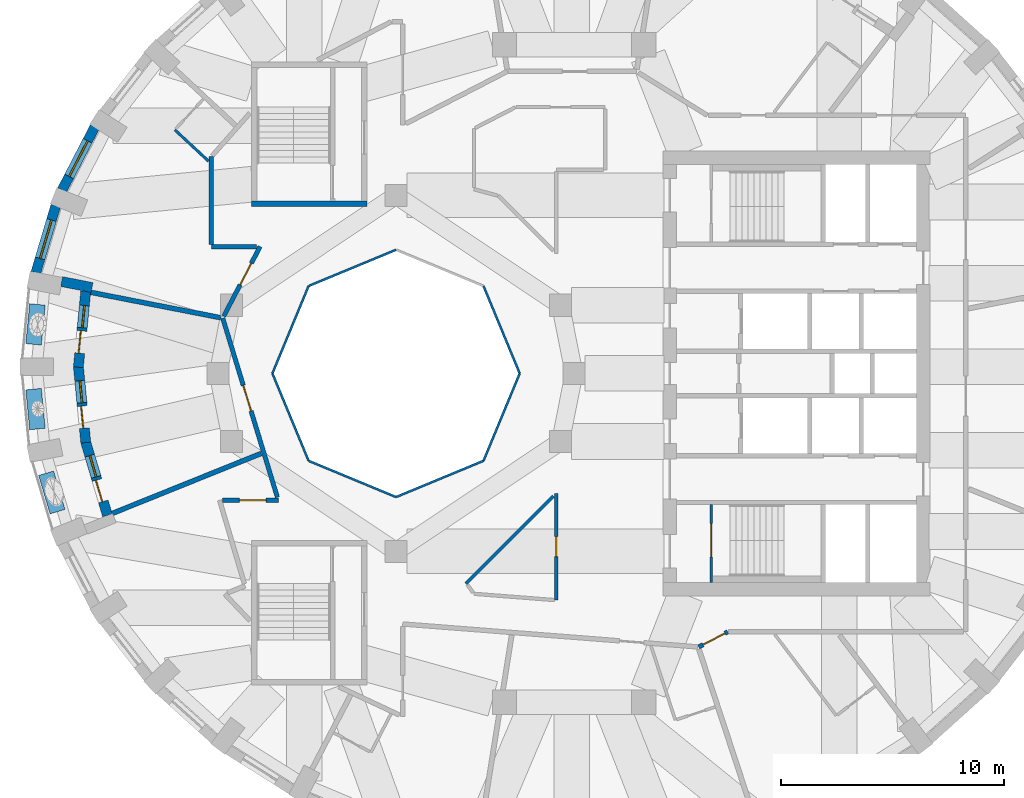
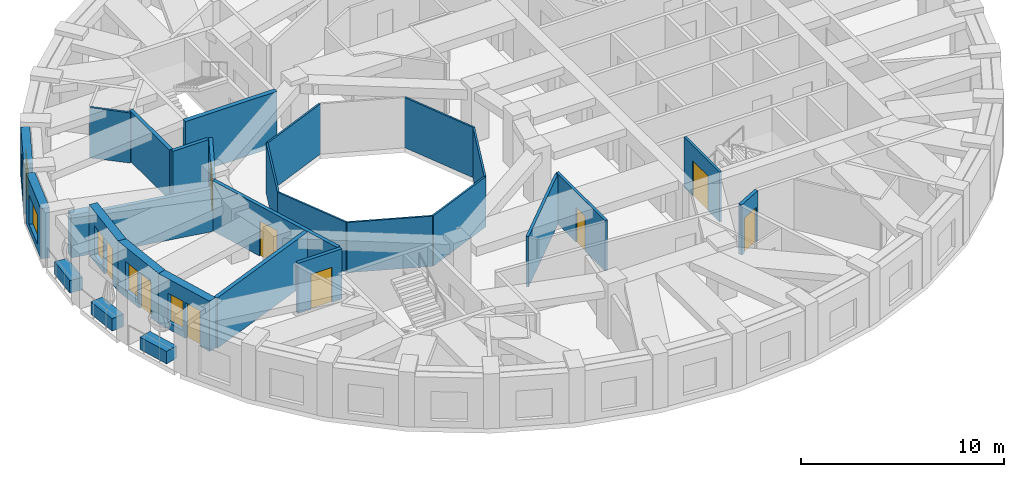
# One storey, part 4 of 12: 29 walls, 9 doors, 5 windows, 14 openings.
"""IFC4 building model written with IfcOpenShell, lengths in metres."""

from ifc_helpers import new_model, si_unit, direction, frame, frame_2d, origin, place, context, subcontext, project, spatial, rectangle, extrude, material, layer, layer_set, constituent, constituent_set, type_object, element, fill, save


model = new_model("IFC4")

# Units and contexts
model_context = context("Model", 3, precision=1e-05, world=origin(), true_north=direction((0.0, 1.0)))
body_context = subcontext(model_context, "Body", "Model", "MODEL_VIEW")
ifc_project = project(units=[si_unit("LENGTHUNIT", "METRE"), si_unit("AREAUNIT", "SQUARE_METRE"), si_unit("VOLUMEUNIT", "CUBIC_METRE"), si_unit("PLANEANGLEUNIT", "RADIAN"), si_unit("MASSUNIT", "GRAM", prefix="KILO")], contexts=[model_context])

# Site, building, storey
site_placement = place(None, origin())
site = spatial("IfcSite", under=ifc_project, at=site_placement, CompositionType="ELEMENT")
building_placement = place(site_placement, origin())
building = spatial("IfcBuilding", under=site, at=building_placement, Name="Taillehof Tower", CompositionType="ELEMENT")
storey_placement = place(building_placement, frame((0.0, 0.0, 236.60009765625)))
storey = spatial("IfcBuildingStorey", under=building, at=storey_placement, Name="L67", CompositionType="ELEMENT", Elevation=236.60009765625)

# Walls
ifc_material_1 = material(Name="Fire-resisting glass in steel frame", Category="steel")
ifc_layer_1 = layer(ifc_material_1, 0.10009765625)
ifc_layer_set_1 = layer_set([ifc_layer_1], Name="Atrium fire-resisting screen EI 60 100")
wall_type_1 = type_object("IfcWallType", Name="Atrium fire-resisting screen EI 60 100", PredefinedType="PARTITIONING", material=ifc_layer_set_1)
for number, where, z_axis, x_axis, name in (
    (1, (-2.44580078125, 0.0, 0.0), (0.0, 0.0, 1.0), (-0.382730523909, -0.923860025149, 0.0), "Atrium screen"),
    (2, (-4.07275390625, -3.92724609375, 0.0), (0.0, 0.0, 1.0), (-0.923860025149, -0.382730523909, 0.0), "Atrium screen"),
    (3, (-8.0, -5.55419921875, 0.0), (0.0, 0.0, 1.0), (-0.923860025149, 0.382730523909, 0.0), "Atrium screen"),
    (4, (-11.92724609375, -3.92724609375, 0.0), (0.0, 0.0, 1.0), (-0.382730523909, 0.923860025149, 0.0), "Atrium screen"),
    (5, (-13.55419921875, 0.0, 0.0), (0.0, 0.0, 1.0), (0.382730523909, 0.923860025149, 0.0), "Atrium screen"),
    (6, (-11.92724609375, 3.92724609375, 0.0), (0.0, 0.0, 1.0), (0.923860025149, 0.382730523909, 0.0), "Atrium screen"),
    (7, (-4.07275390625, 3.92724609375, 0.0), (0.0, 0.0, 1.0), (0.382730523909, -0.923860025149, 0.0), "Atrium screen"),
):
    element("IfcWall", number, at=place(storey_placement, frame(where, z_axis=z_axis, x_axis=x_axis)), inside=storey, type_object=wall_type_1, Name=name, PredefinedType="PARTITIONING", context=body_context, shape_type="SweptSolid", body=[
        extrude(rectangle(XDim=4.2509765625, YDim=0.10009765625, at=frame_2d((2.12548828125, 0.0))), origin(), (0.0, 0.0, 1.0), 3.02001953125),
    ])

# Wall, opening, window
ifc_material_2 = material(Name="Brick masonry", Category="masonry")
ifc_layer_2 = layer(ifc_material_2, 0.449951171875)
ifc_layer_set_2 = layer_set([ifc_layer_2], Name="Brick infill wall 450")
wall_type_2 = type_object("IfcWallType", Name="Brick infill wall 450", PredefinedType="SOLIDWALL", material=ifc_layer_set_2)
wall_1_placement = place(storey_placement, frame((-21.544921875, 11.068359375, 0.0), z_axis=(0.0, 0.0, 1.0), x_axis=(-0.459889857669, -0.887975967475, 0.0)))
wall_1 = element("IfcWall", 8, at=wall_1_placement, inside=storey, type_object=wall_type_2, Name="Brick wall L67 bay 16", PredefinedType="SOLIDWALL", context=body_context, shape_type="SweptSolid", body=[
    extrude(rectangle(XDim=3.185791015625, YDim=0.449951171875, at=frame_2d((1.5927734375, 0.0))), origin(), (0.0, 0.0, 1.0), 3.02001953125),
])
opening_1_placement = place(wall_1_placement, frame((0.69287109375, 0.0, 0.39990234375)))
opening_1 = element("IfcOpeningElement", 9, at=opening_1_placement, cuts=wall_1, Name="Opening W4", PredefinedType="OPENING", context=body_context, shape_type="SweptSolid", body=[
    extrude(rectangle(XDim=1.800048828125, YDim=1.75, at=frame_2d((0.89990234375, 0.875))), frame((0.0, 0.23486328125, 0.0), z_axis=(0.0, -1.0, 0.0), x_axis=(1.0, 0.0, 0.0)), (0.0, 0.0, 1.0), 0.469970703125),
])
ifc_material_3 = material(Name="Aluminium window frame with clear double glazing", Category="aluminium")
window_type_1 = type_object("IfcWindowType", Name="Deep-set window 1800x1750", PartitioningType="SINGLE_PANEL", PredefinedType="WINDOW", material=ifc_material_3)
window_1_placement = place(opening_1_placement, origin())
window_1 = element("IfcWindow", 10, at=window_1_placement, inside=storey, type_object=window_type_1, Name="W4", OverallHeight=1.75, OverallWidth=1.800048828125, PartitioningType="SINGLE_PANEL", PredefinedType="WINDOW", context=body_context, shape_type="SweptSolid", body=[
    extrude(rectangle(XDim=1.800048828125, YDim=1.75, at=frame_2d((0.89990234375, 0.875))), frame((0.0, 0.034912109375, 0.0), z_axis=(0.0, -1.0, 0.0), x_axis=(1.0, 0.0, 0.0)), (0.0, 0.0, 1.0), 0.06005859375),
])
fill(opening_1, window_1)

wall_2_placement = place(storey_placement, frame((-23.29443359375, 7.53466796875, 0.0), z_axis=(0.0, 0.0, 1.0), x_axis=(-0.285263800865, -0.958449040855, 0.0)))
wall_2 = element("IfcWall", 11, at=wall_2_placement, inside=storey, type_object=wall_type_2, Name="Brick wall L67 bay 17", PredefinedType="SOLIDWALL", context=body_context, shape_type="SweptSolid", body=[
    extrude(rectangle(XDim=3.13916015625, YDim=0.449951171875, at=frame_2d((1.569580078125, 0.0))), origin(), (0.0, 0.0, 1.0), 3.02001953125),
])
opening_2_placement = place(wall_2_placement, frame((0.669677734375, 0.0, 0.39990234375)))
opening_2 = element("IfcOpeningElement", 12, at=opening_2_placement, cuts=wall_2, Name="Opening W4", PredefinedType="OPENING", context=body_context, shape_type="SweptSolid", body=[
    extrude(rectangle(XDim=1.800048828125, YDim=1.75, at=frame_2d((0.89990234375, 0.875))), frame((0.0, 0.23486328125, 0.0), z_axis=(0.0, -1.0, 0.0), x_axis=(1.0, 0.0, 0.0)), (0.0, 0.0, 1.0), 0.469970703125),
])
window_2_placement = place(opening_2_placement, origin())
window_2 = element("IfcWindow", 13, at=window_2_placement, inside=storey, type_object=window_type_1, Name="W4", OverallHeight=1.75, OverallWidth=1.800048828125, PartitioningType="SINGLE_PANEL", PredefinedType="WINDOW", context=body_context, shape_type="SweptSolid", body=[
    extrude(rectangle(XDim=1.800048828125, YDim=1.75, at=frame_2d((0.89990234375, 0.875))), frame((0.0, 0.034912109375, 0.0), z_axis=(0.0, -1.0, 0.0), x_axis=(1.0, 0.0, 0.0)), (0.0, 0.0, 1.0), 0.06005859375),
])
fill(opening_2, window_2)

# Wall
wall_3_placement = place(storey_placement, frame((-23.027587890625, 4.126953125, 0.0), z_axis=(0.0, 0.0, 1.0), x_axis=(0.981468844755, -0.191621780535, 0.0)))
element("IfcWall", 14, at=wall_3_placement, inside=storey, type_object=wall_type_2, Name="Brick reveal L67 pocket 5", PredefinedType="SOLIDWALL", context=body_context, shape_type="SweptSolid", body=[
    extrude(rectangle(XDim=1.39013671875, YDim=0.449951171875, at=frame_2d((0.695068359375, 0.0))), origin(), (0.0, 0.0, 1.0), 2.56982421875),
])

# Wall, openings, door, window
wall_4_placement = place(storey_placement, frame((-21.94580078125, 3.6865234375, 0.0), z_axis=(0.0, 0.0, 1.0), x_axis=(-0.096467747711, -0.995336110895, 0.0)))
wall_4 = element("IfcWall", 15, at=wall_4_placement, inside=storey, type_object=wall_type_2, Name="Brick wall L67 pocket bay 18", PredefinedType="SOLIDWALL", context=body_context, shape_type="SweptSolid", body=[
    extrude(rectangle(XDim=3.424072265625, YDim=0.449951171875, at=frame_2d((1.7119140625, 0.0))), origin(), (0.0, 0.0, 1.0), 3.02001953125),
])
opening_3_placement = place(wall_4_placement, frame((0.63720703125, 0.0, 0.39990234375)))
opening_3 = element("IfcOpeningElement", 16, at=opening_3_placement, cuts=wall_4, Name="Opening W5", PredefinedType="OPENING", context=body_context, shape_type="SweptSolid", body=[
    extrude(rectangle(XDim=1.0, YDim=1.75, at=frame_2d((0.5, 0.875))), frame((0.0, 0.23486328125, 0.0), z_axis=(0.0, -1.0, 0.0), x_axis=(1.0, 0.0, 0.0)), (0.0, 0.0, 1.0), 0.469970703125),
])
opening_4_placement = place(wall_4_placement, frame((1.787109375, 0.0, 0.0)))
opening_4 = element("IfcOpeningElement", 17, at=opening_4_placement, cuts=wall_4, Name="Opening D6791", PredefinedType="OPENING", context=body_context, shape_type="SweptSolid", body=[
    extrude(rectangle(XDim=1.0, YDim=2.14990234375, at=frame_2d((0.5, 1.074951171875))), frame((0.0, 0.23486328125, 0.0), z_axis=(0.0, -1.0, 0.0), x_axis=(1.0, 0.0, 0.0)), (0.0, 0.0, 1.0), 0.469970703125),
])
ifc_material_4 = material(Name="Aluminium door frame with clear double glazing", Category="aluminium")
door_type_1 = type_object("IfcDoorType", Name="Balcony door 1000x2150", OperationType="SINGLE_SWING_RIGHT", PredefinedType="DOOR", material=ifc_material_4)
door_1_placement = place(opening_4_placement, frame((1.0, 0.0, 0.0), z_axis=(0.0, 0.0, 1.0), x_axis=(-1.0, 0.0, 0.0)))
door_1 = element("IfcDoor", 18, at=door_1_placement, inside=storey, type_object=door_type_1, Name="Balcony door L67 bay 18", OperationType="SINGLE_SWING_RIGHT", OverallHeight=2.14990234375, OverallWidth=1.0, PredefinedType="DOOR", context=body_context, shape_type="SweptSolid", body=[
    extrude(rectangle(XDim=1.0, YDim=2.14990234375, at=frame_2d((0.5, 1.074951171875))), frame((0.0, 0.0751953125, 0.0), z_axis=(0.0, -1.0, 0.0), x_axis=(1.0, 0.0, 0.0)), (0.0, 0.0, 1.0), 0.050048828125),
])
fill(opening_4, door_1)
ifc_material_5 = material(Name="Aluminium window frame with clear double glazing", Category="aluminium")
window_type_2 = type_object("IfcWindowType", Name="Fixed window 1000x1750", PartitioningType="SINGLE_PANEL", PredefinedType="WINDOW", material=ifc_material_5)
window_3_placement = place(opening_3_placement, origin())
window_3 = element("IfcWindow", 19, at=window_3_placement, inside=storey, type_object=window_type_2, Name="W5", OverallHeight=1.75, OverallWidth=1.0, PartitioningType="SINGLE_PANEL", PredefinedType="WINDOW", context=body_context, shape_type="SweptSolid", body=[
    extrude(rectangle(XDim=1.0, YDim=1.75, at=frame_2d((0.5, 0.875))), frame((0.0, 0.034912109375, 0.0), z_axis=(0.0, -1.0, 0.0), x_axis=(1.0, 0.0, 0.0)), (0.0, 0.0, 1.0), 0.06005859375),
])
fill(opening_3, window_3)

wall_5_placement = place(storey_placement, frame((-22.276123046875, 0.32177734375, 0.0), z_axis=(0.0, 0.0, 1.0), x_axis=(0.096423819494, -0.995340367429, 0.0)))
wall_5 = element("IfcWall", 20, at=wall_5_placement, inside=storey, type_object=wall_type_2, Name="Brick wall L67 pocket bay 19", PredefinedType="SOLIDWALL", context=body_context, shape_type="SweptSolid", body=[
    extrude(rectangle(XDim=3.446044921875, YDim=0.449951171875, at=frame_2d((1.72314453125, 0.0))), origin(), (0.0, 0.0, 1.0), 3.02001953125),
])
opening_5_placement = place(wall_5_placement, frame((0.64794921875, 0.0, 0.39990234375)))
opening_5 = element("IfcOpeningElement", 21, at=opening_5_placement, cuts=wall_5, Name="Opening W5", PredefinedType="OPENING", context=body_context, shape_type="SweptSolid", body=[
    extrude(rectangle(XDim=1.0, YDim=1.75, at=frame_2d((0.5, 0.875))), frame((0.0, 0.23486328125, 0.0), z_axis=(0.0, -1.0, 0.0), x_axis=(1.0, 0.0, 0.0)), (0.0, 0.0, 1.0), 0.469970703125),
])
opening_6_placement = place(wall_5_placement, frame((1.7978515625, 0.0, 0.0)))
opening_6 = element("IfcOpeningElement", 22, at=opening_6_placement, cuts=wall_5, Name="Opening D6792", PredefinedType="OPENING", context=body_context, shape_type="SweptSolid", body=[
    extrude(rectangle(XDim=1.0, YDim=2.14990234375, at=frame_2d((0.5, 1.074951171875))), frame((0.0, 0.23486328125, 0.0), z_axis=(0.0, -1.0, 0.0), x_axis=(1.0, 0.0, 0.0)), (0.0, 0.0, 1.0), 0.469970703125),
])
door_2_placement = place(opening_6_placement, frame((1.0, 0.0, 0.0), z_axis=(0.0, 0.0, 1.0), x_axis=(-1.0, 0.0, 0.0)))
door_2 = element("IfcDoor", 23, at=door_2_placement, inside=storey, type_object=door_type_1, Name="Balcony door L67 bay 19", OperationType="SINGLE_SWING_LEFT", OverallHeight=2.14990234375, OverallWidth=1.0, PredefinedType="DOOR", context=body_context, shape_type="SweptSolid", body=[
    extrude(rectangle(XDim=1.0, YDim=2.14990234375, at=frame_2d((0.5, 1.074951171875))), frame((0.0, 0.0751953125, 0.0), z_axis=(0.0, -1.0, 0.0), x_axis=(1.0, 0.0, 0.0)), (0.0, 0.0, 1.0), 0.050048828125),
])
fill(opening_6, door_2)
window_4_placement = place(opening_5_placement, origin())
window_4 = element("IfcWindow", 24, at=window_4_placement, inside=storey, type_object=window_type_2, Name="W5", OverallHeight=1.75, OverallWidth=1.0, PartitioningType="SINGLE_PANEL", PredefinedType="WINDOW", context=body_context, shape_type="SweptSolid", body=[
    extrude(rectangle(XDim=1.0, YDim=1.75, at=frame_2d((0.5, 0.875))), frame((0.0, 0.034912109375, 0.0), z_axis=(0.0, -1.0, 0.0), x_axis=(1.0, 0.0, 0.0)), (0.0, 0.0, 1.0), 0.06005859375),
])
fill(opening_5, window_4)

wall_6_placement = place(storey_placement, frame((-21.951904296875, -3.06591796875, 0.0), z_axis=(0.0, 0.0, 1.0), x_axis=(0.284437019833, -0.958694728132, 0.0)))
wall_6 = element("IfcWall", 25, at=wall_6_placement, inside=storey, type_object=wall_type_2, Name="Brick wall L67 pocket bay 20", PredefinedType="SOLIDWALL", context=body_context, shape_type="SweptSolid", body=[
    extrude(rectangle(XDim=3.45654296875, YDim=0.449951171875, at=frame_2d((1.728271484375, 0.0))), origin(), (0.0, 0.0, 1.0), 3.02001953125),
])
opening_7_placement = place(wall_6_placement, frame((0.6533203125, 0.0, 0.39990234375)))
opening_7 = element("IfcOpeningElement", 26, at=opening_7_placement, cuts=wall_6, Name="Opening W5", PredefinedType="OPENING", context=body_context, shape_type="SweptSolid", body=[
    extrude(rectangle(XDim=1.0, YDim=1.75, at=frame_2d((0.5, 0.875))), frame((0.0, 0.23486328125, 0.0), z_axis=(0.0, -1.0, 0.0), x_axis=(1.0, 0.0, 0.0)), (0.0, 0.0, 1.0), 0.469970703125),
])
opening_8_placement = place(wall_6_placement, frame((1.80322265625, 0.0, 0.0)))
opening_8 = element("IfcOpeningElement", 27, at=opening_8_placement, cuts=wall_6, Name="Opening D6793", PredefinedType="OPENING", context=body_context, shape_type="SweptSolid", body=[
    extrude(rectangle(XDim=1.0, YDim=2.14990234375, at=frame_2d((0.5, 1.074951171875))), frame((0.0, 0.23486328125, 0.0), z_axis=(0.0, -1.0, 0.0), x_axis=(1.0, 0.0, 0.0)), (0.0, 0.0, 1.0), 0.469970703125),
])
door_3_placement = place(opening_8_placement, frame((1.0, 0.0, 0.0), z_axis=(0.0, 0.0, 1.0), x_axis=(-1.0, 0.0, 0.0)))
door_3 = element("IfcDoor", 28, at=door_3_placement, inside=storey, type_object=door_type_1, Name="Balcony door L67 bay 20", OperationType="SINGLE_SWING_LEFT", OverallHeight=2.14990234375, OverallWidth=1.0, PredefinedType="DOOR", context=body_context, shape_type="SweptSolid", body=[
    extrude(rectangle(XDim=1.0, YDim=2.14990234375, at=frame_2d((0.5, 1.074951171875))), frame((0.0, 0.0751953125, 0.0), z_axis=(0.0, -1.0, 0.0), x_axis=(1.0, 0.0, 0.0)), (0.0, 0.0, 1.0), 0.050048828125),
])
fill(opening_8, door_3)
window_5_placement = place(opening_7_placement, origin())
window_5 = element("IfcWindow", 29, at=window_5_placement, inside=storey, type_object=window_type_2, Name="W5", OverallHeight=1.75, OverallWidth=1.0, PartitioningType="SINGLE_PANEL", PredefinedType="WINDOW", context=body_context, shape_type="SweptSolid", body=[
    extrude(rectangle(XDim=1.0, YDim=1.75, at=frame_2d((0.5, 0.875))), frame((0.0, 0.034912109375, 0.0), z_axis=(0.0, -1.0, 0.0), x_axis=(1.0, 0.0, 0.0)), (0.0, 0.0, 1.0), 0.06005859375),
])
fill(opening_7, window_5)

# Wall, opening, door
ifc_material_6 = material(Name="Gypsum board on steel studs, two layers each side", Category="steel")
ifc_layer_3 = layer(ifc_material_6, 0.199951171875)
ifc_layer_set_3 = layer_set([ifc_layer_3], Name="Compartment wall corridor 200")
wall_type_3 = type_object("IfcWallType", Name="Compartment wall corridor 200", PredefinedType="PARTITIONING", material=ifc_layer_set_3)
wall_7_placement = place(storey_placement, frame((6.902587890625, -11.61865234375, 0.0), z_axis=(0.0, 0.0, 1.0), x_axis=(-0.887353179844, -0.461090375329, 0.0)))
wall_7 = element("IfcWall", 30, at=wall_7_placement, inside=storey, type_object=wall_type_3, Name="Compartment wall", PredefinedType="PARTITIONING", context=body_context, shape_type="SweptSolid", body=[
    extrude(rectangle(XDim=1.465087890625, YDim=0.199951171875, at=frame_2d((0.732421875, 0.0))), origin(), (0.0, 0.0, 1.0), 3.02001953125),
])
opening_9_placement = place(wall_7_placement, frame((0.139892578125, 0.0, 0.0)))
opening_9 = element("IfcOpeningElement", 31, at=opening_9_placement, cuts=wall_7, Name="Opening D6752", PredefinedType="OPENING", context=body_context, shape_type="SweptSolid", body=[
    extrude(rectangle(XDim=1.10009765625, YDim=2.10009765625, at=frame_2d((0.550048828125, 1.050048828125))), frame((0.0, 0.10986328125, 0.0), z_axis=(0.0, -1.0, 0.0), x_axis=(1.0, 0.0, 0.0)), (0.0, 0.0, 1.0), 0.219970703125),
])
ifc_material_7 = material(Name="Timber door leaf in steel frame", Category="steel")
door_type_2 = type_object("IfcDoorType", Name="Accessible guest room door EI 30 1100 x 2100", OperationType="SINGLE_SWING_LEFT", PredefinedType="DOOR", material=ifc_material_7)
door_4_placement = place(opening_9_placement, origin())
door_4 = element("IfcDoor", 32, at=door_4_placement, inside=storey, type_object=door_type_2, Name="D6752", OperationType="SINGLE_SWING_LEFT", OverallHeight=2.10009765625, OverallWidth=1.10009765625, PredefinedType="DOOR", context=body_context, shape_type="SweptSolid", body=[
    extrude(rectangle(XDim=1.10009765625, YDim=2.10009765625, at=frame_2d((0.550048828125, 1.050048828125))), frame((0.0, 0.02490234375, 0.0), z_axis=(0.0, -1.0, 0.0), x_axis=(1.0, 0.0, 0.0)), (0.0, 0.0, 1.0), 0.050048828125),
])
fill(opening_9, door_4)

wall_8_placement = place(storey_placement, frame((-15.788818359375, -5.699951171875, 0.0), z_axis=(0.0, 0.0, 1.0), x_axis=(1.0, 0.0, 0.0)))
wall_8 = element("IfcWall", 33, at=wall_8_placement, inside=storey, type_object=wall_type_3, Name="Compartment wall", PredefinedType="PARTITIONING", context=body_context, shape_type="SweptSolid", body=[
    extrude(rectangle(XDim=2.497314453125, YDim=0.199951171875, at=frame_2d((1.24853515625, 0.0))), origin(), (0.0, 0.0, 1.0), 3.02001953125),
])
opening_10_placement = place(wall_8_placement, frame((0.75048828125, 0.0, 0.0)))
opening_10 = element("IfcOpeningElement", 34, at=opening_10_placement, cuts=wall_8, Name="Opening D6747", PredefinedType="OPENING", context=body_context, shape_type="SweptSolid", body=[
    extrude(rectangle(XDim=1.199951171875, YDim=2.10009765625, at=frame_2d((0.60009765625, 1.050048828125))), frame((0.0, 0.10986328125, 0.0), z_axis=(0.0, -1.0, 0.0), x_axis=(1.0, 0.0, 0.0)), (0.0, 0.0, 1.0), 0.219970703125),
])
ifc_material_8 = material(Name="Timber door leaf in steel frame", Category="steel")
door_type_3 = type_object("IfcDoorType", Name="Suite entrance door EI 30 1200 x 2100", OperationType="SINGLE_SWING_LEFT", PredefinedType="DOOR", material=ifc_material_8)
door_5_placement = place(opening_10_placement, origin())
door_5 = element("IfcDoor", 35, at=door_5_placement, inside=storey, type_object=door_type_3, Name="D6747", OperationType="SINGLE_SWING_RIGHT", OverallHeight=2.10009765625, OverallWidth=1.199951171875, PredefinedType="DOOR", context=body_context, shape_type="SweptSolid", body=[
    extrude(rectangle(XDim=1.199951171875, YDim=2.10009765625, at=frame_2d((0.60009765625, 1.050048828125))), frame((0.0, 0.02490234375, 0.0), z_axis=(0.0, -1.0, 0.0), x_axis=(1.0, 0.0, 0.0)), (0.0, 0.0, 1.0), 0.050048828125),
])
fill(opening_10, door_5)

wall_9_placement = place(storey_placement, frame((-13.33251953125, -5.566650390625, 0.0), z_axis=(0.0, 0.0, 1.0), x_axis=(-0.291732883234, 0.956499830026, 0.0)))
wall_9 = element("IfcWall", 36, at=wall_9_placement, inside=storey, type_object=wall_type_3, Name="Compartment wall", PredefinedType="PARTITIONING", context=body_context, shape_type="SweptSolid", body=[
    extrude(rectangle(XDim=8.417236328125, YDim=0.199951171875, at=frame_2d((4.20849609375, 0.0))), origin(), (0.0, 0.0, 1.0), 3.02001953125),
])
opening_11_placement = place(wall_9_placement, frame((4.052734375, 0.0, 0.0)))
opening_11 = element("IfcOpeningElement", 37, at=opening_11_placement, cuts=wall_9, Name="Opening D6746", PredefinedType="OPENING", context=body_context, shape_type="SweptSolid", body=[
    extrude(rectangle(XDim=1.199951171875, YDim=2.10009765625, at=frame_2d((0.60009765625, 1.050048828125))), frame((0.0, 0.10986328125, 0.0), z_axis=(0.0, -1.0, 0.0), x_axis=(1.0, 0.0, 0.0)), (0.0, 0.0, 1.0), 0.219970703125),
])
door_6_placement = place(opening_11_placement, origin())
door_6 = element("IfcDoor", 38, at=door_6_placement, inside=storey, type_object=door_type_3, Name="D6746", OperationType="SINGLE_SWING_LEFT", OverallHeight=2.10009765625, OverallWidth=1.199951171875, PredefinedType="DOOR", context=body_context, shape_type="SweptSolid", body=[
    extrude(rectangle(XDim=1.199951171875, YDim=2.10009765625, at=frame_2d((0.60009765625, 1.050048828125))), frame((0.0, 0.02490234375, 0.0), z_axis=(0.0, -1.0, 0.0), x_axis=(1.0, 0.0, 0.0)), (0.0, 0.0, 1.0), 0.050048828125),
])
fill(opening_11, door_6)

wall_10_placement = place(storey_placement, frame((-15.74169921875, 2.573486328125, 0.0), z_axis=(0.0, 0.0, 1.0), x_axis=(0.462435860297, 0.886652736482, 0.0)))
wall_10 = element("IfcWall", 39, at=wall_10_placement, inside=storey, type_object=wall_type_3, Name="Compartment wall", PredefinedType="PARTITIONING", context=body_context, shape_type="SweptSolid", body=[
    extrude(rectangle(XDim=3.526123046875, YDim=0.199951171875, at=frame_2d((1.76318359375, 0.0))), origin(), (0.0, 0.0, 1.0), 3.02001953125),
])
opening_12_placement = place(wall_10_placement, frame((1.5859375, 0.0, 0.0)))
opening_12 = element("IfcOpeningElement", 40, at=opening_12_placement, cuts=wall_10, Name="Opening D6744", PredefinedType="OPENING", context=body_context, shape_type="SweptSolid", body=[
    extrude(rectangle(XDim=1.10009765625, YDim=2.10009765625, at=frame_2d((0.550048828125, 1.050048828125))), frame((0.0, 0.10986328125, 0.0), z_axis=(0.0, -1.0, 0.0), x_axis=(1.0, 0.0, 0.0)), (0.0, 0.0, 1.0), 0.219970703125),
])
ifc_material_9 = material(Name="Timber door leaf in steel frame", Category="steel")
door_type_4 = type_object("IfcDoorType", Name="Suite entrance door EI 30 1100 x 2100", OperationType="SINGLE_SWING_LEFT", PredefinedType="DOOR", material=ifc_material_9)
door_7_placement = place(opening_12_placement, origin())
door_7 = element("IfcDoor", 41, at=door_7_placement, inside=storey, type_object=door_type_4, Name="D6744", OperationType="SINGLE_SWING_RIGHT", OverallHeight=2.10009765625, OverallWidth=1.10009765625, PredefinedType="DOOR", context=body_context, shape_type="SweptSolid", body=[
    extrude(rectangle(XDim=1.10009765625, YDim=2.10009765625, at=frame_2d((0.550048828125, 1.050048828125))), frame((0.0, 0.02490234375, 0.0), z_axis=(0.0, -1.0, 0.0), x_axis=(1.0, 0.0, 0.0)), (0.0, 0.0, 1.0), 0.050048828125),
])
fill(opening_12, door_7)

# Walls
wall_11_placement = place(storey_placement, frame((-14.271240234375, 5.699951171875, 0.0), z_axis=(0.0, 0.0, 1.0), x_axis=(-1.0, 0.0, 0.0)))
element("IfcWall", 42, at=wall_11_placement, inside=storey, type_object=wall_type_3, Name="Compartment wall", PredefinedType="PARTITIONING", context=body_context, shape_type="SweptSolid", body=[
    extrude(rectangle(XDim=2.02880859375, YDim=0.199951171875, at=frame_2d((1.014404296875, 0.0))), origin(), (0.0, 0.0, 1.0), 3.02001953125),
])
wall_12_placement = place(storey_placement, frame((-16.300048828125, 5.800048828125, 0.0), z_axis=(0.0, 0.0, 1.0), x_axis=(0.0, 1.0, 0.0)))
element("IfcWall", 43, at=wall_12_placement, inside=storey, type_object=wall_type_3, Name="Compartment wall", PredefinedType="PARTITIONING", context=body_context, shape_type="SweptSolid", body=[
    extrude(rectangle(XDim=3.938720703125, YDim=0.199951171875, at=frame_2d((1.96923828125, 0.0))), origin(), (0.0, 0.0, 1.0), 3.02001953125),
])
ifc_material_10 = material(Name="Gypsum board on double steel studs with mineral wool", Category="steel")
ifc_layer_4 = layer(ifc_material_10, 0.219970703125)
ifc_layer_set_4 = layer_set([ifc_layer_4], Name="Compartment wall guest room 220")
wall_type_4 = type_object("IfcWallType", Name="Compartment wall guest room 220", PredefinedType="PARTITIONING", material=ifc_layer_set_4)
wall_13_placement = place(storey_placement, frame((-21.723876953125, 3.643310546875, 0.0), z_axis=(0.0, 0.0, 1.0), x_axis=(0.981479525595, -0.191567066159, 0.0)))
element("IfcWall", 44, at=wall_13_placement, inside=storey, type_object=wall_type_4, Name="Compartment wall", PredefinedType="PARTITIONING", context=body_context, shape_type="SweptSolid", body=[
    extrude(rectangle(XDim=5.96826171875, YDim=0.219970703125, at=frame_2d((2.984130859375, 0.0))), origin(), (0.0, 0.0, 1.0), 2.56982421875),
])
wall_14_placement = place(storey_placement, frame((-20.759033203125, -6.295166015625, 0.0), z_axis=(0.0, 0.0, 1.0), x_axis=(0.927536731172, 0.373732006023, 0.0)))
element("IfcWall", 45, at=wall_14_placement, inside=storey, type_object=wall_type_4, Name="Compartment wall", PredefinedType="PARTITIONING", context=body_context, shape_type="SweptSolid", body=[
    extrude(rectangle(XDim=7.2236328125, YDim=0.219970703125, at=frame_2d((3.61181640625, 0.0))), origin(), (0.0, 0.0, 1.0), 3.02001953125),
])

# Wall, opening, door
ifc_material_11 = material(Name="Gypsum board on steel studs, two layers each side", Category="steel")
ifc_layer_5 = layer(ifc_material_11, 0.14990234375)
ifc_layer_set_5 = layer_set([ifc_layer_5], Name="Compartment wall service room 150")
wall_type_5 = type_object("IfcWallType", Name="Compartment wall service room 150", PredefinedType="PARTITIONING", material=ifc_layer_set_5)
wall_15_placement = place(storey_placement, frame((-0.800048828125, -5.386474609375, 0.0), z_axis=(0.0, 0.0, 1.0), x_axis=(0.0, -1.0, 0.0)))
wall_15 = element("IfcWall", 46, at=wall_15_placement, inside=storey, type_object=wall_type_5, Name="Compartment wall", PredefinedType="PARTITIONING", context=body_context, shape_type="SweptSolid", body=[
    extrude(rectangle(XDim=4.805419921875, YDim=0.14990234375, at=frame_2d((2.40283203125, 0.0))), origin(), (0.0, 0.0, 1.0), 3.02001953125),
])
opening_13_placement = place(wall_15_placement, frame((1.95263671875, 0.0, 0.0)))
opening_13 = element("IfcOpeningElement", 47, at=opening_13_placement, cuts=wall_15, Name="Opening D6759", PredefinedType="OPENING", context=body_context, shape_type="SweptSolid", body=[
    extrude(rectangle(XDim=0.89990234375, YDim=2.10009765625, at=frame_2d((0.449951171875, 1.050048828125))), frame((0.0, 0.0849609375, 0.0), z_axis=(0.0, -1.0, 0.0), x_axis=(1.0, 0.0, 0.0)), (0.0, 0.0, 1.0), 0.169921875),
])
ifc_material_12 = material(Name="Timber door leaf in steel frame", Category="steel")
door_type_5 = type_object("IfcDoorType", Name="Service room door EI 30 900 x 2100", OperationType="SINGLE_SWING_LEFT", PredefinedType="DOOR", material=ifc_material_12)
door_8_placement = place(opening_13_placement, origin())
door_8 = element("IfcDoor", 48, at=door_8_placement, inside=storey, type_object=door_type_5, Name="D6759", OperationType="SINGLE_SWING_RIGHT", OverallHeight=2.10009765625, OverallWidth=0.89990234375, PredefinedType="DOOR", context=body_context, shape_type="SweptSolid", body=[
    extrude(rectangle(XDim=0.89990234375, YDim=2.10009765625, at=frame_2d((0.449951171875, 1.050048828125))), frame((0.0, 0.02490234375, 0.0), z_axis=(0.0, -1.0, 0.0), x_axis=(1.0, 0.0, 0.0)), (0.0, 0.0, 1.0), 0.050048828125),
])
fill(opening_13, door_8)

# Walls
wall_16_placement = place(storey_placement, frame((-4.863525390625, -9.449951171875, 0.0), z_axis=(0.0, 0.0, 1.0), x_axis=(0.707106781187, 0.707106781187, 0.0)))
element("IfcWall", 49, at=wall_16_placement, inside=storey, type_object=wall_type_5, Name="Compartment wall", PredefinedType="PARTITIONING", context=body_context, shape_type="SweptSolid", body=[
    extrude(rectangle(XDim=5.56640625, YDim=0.14990234375, at=frame_2d((2.783203125, 0.0))), origin(), (0.0, 0.0, 1.0), 3.02001953125),
])
ifc_material_13 = material(Name="Gypsum board on steel studs, moisture resistant", Category="steel")
ifc_layer_6 = layer(ifc_material_13, 0.1201171875)
ifc_layer_set_6 = layer_set([ifc_layer_6], Name="En-suite wall 120")
wall_type_6 = type_object("IfcWallType", Name="En-suite wall 120", PredefinedType="PARTITIONING", material=ifc_layer_set_6)
wall_17_placement = place(storey_placement, frame((-16.429443359375, 9.541259765625, 0.0), z_axis=(0.0, 0.0, 1.0), x_axis=(-0.732625124054, 0.680632373315, 0.0)))
element("IfcWall", 50, at=wall_17_placement, inside=storey, type_object=wall_type_6, Name="En-suite wall", PredefinedType="PARTITIONING", context=body_context, shape_type="SweptSolid", body=[
    extrude(rectangle(XDim=2.066162109375, YDim=0.1201171875, at=frame_2d((1.033203125, 0.0))), origin(), (0.0, 0.0, 1.0), 3.02001953125),
])
ifc_material_14 = material(Name="Concrete C30/37 precast", Category="concrete")
ifc_constituent_1 = constituent(ifc_material_14, Name="Structure", Category="concrete")
ifc_material_15 = material(Name="Insulated lining")
ifc_constituent_2 = constituent(ifc_material_15, Name="Lining")
ifc_constituent_set = constituent_set(constituents=[ifc_constituent_1, ifc_constituent_2], Name="Planter trough 700x750")
wall_type_7 = type_object("IfcWallType", Name="Planter trough 700x750", PredefinedType="USERDEFINED", material=ifc_constituent_set)
for number, where, z_axis, x_axis, name in (
    (51, (-24.11572265625, 3.09814453125, 0.0), (0.0, 0.0, 1.0), (-0.096709987215, -0.995312603343, 0.0), "Planter L67 bay 18"),
    (52, (-24.289794921875, -0.70654296875, 0.0), (0.0, 0.0, 1.0), (0.096709987215, -0.995312603343, 0.0), "Planter L67 bay 19"),
    (53, (-23.725830078125, -4.486083984375, 0.0), (0.0, 0.0, 1.0), (0.285219480859, -0.958462230731, 0.0), "Planter L67 bay 20"),
):
    element("IfcWall", number, at=place(storey_placement, frame(where, z_axis=z_axis, x_axis=x_axis)), inside=storey, type_object=wall_type_7, Name=name, ObjectType="PLANTER", PredefinedType="USERDEFINED", context=body_context, shape_type="SweptSolid", body=[
        extrude(rectangle(XDim=1.800048828125, YDim=0.699951171875, at=frame_2d((0.89990234375, 0.0))), origin(), (0.0, 0.0, 1.0), 0.75),
    ])

# Wall, opening, door
ifc_material_16 = material(Name="Concrete C50/60", Category="concrete")
ifc_layer_7 = layer(ifc_material_16, 0.1201171875)
ifc_layer_set_7 = layer_set([ifc_layer_7], Name="Stair lobby wall C50/60 120")
wall_type_8 = type_object("IfcWallType", Name="Stair lobby wall C50/60 120", PredefinedType="SHEAR", material=ifc_layer_set_7)
wall_18_placement = place(storey_placement, frame((6.159912109375, -9.39990234375, 0.0), z_axis=(0.0, 0.0, 1.0), x_axis=(0.0, 1.0, 0.0)))
wall_18 = element("IfcWall", 54, at=wall_18_placement, inside=storey, type_object=wall_type_8, Name="Compartment wall SW", PredefinedType="SHEAR", context=body_context, shape_type="SweptSolid", body=[
    extrude(rectangle(XDim=3.5, YDim=0.1201171875, at=frame_2d((1.75, 0.0))), origin(), (0.0, 0.0, 1.0), 3.02001953125),
])
opening_14_placement = place(wall_18_placement, frame((1.14990234375, 0.0, 0.0)))
opening_14 = element("IfcOpeningElement", 55, at=opening_14_placement, cuts=wall_18, Name="Opening D6711", PredefinedType="OPENING", context=body_context, shape_type="SweptSolid", body=[
    extrude(rectangle(XDim=1.5, YDim=2.10009765625, at=frame_2d((0.75, 1.050048828125))), frame((0.0, 0.070068359375, 0.0), z_axis=(0.0, -1.0, 0.0), x_axis=(1.0, 0.0, 0.0)), (0.0, 0.0, 1.0), 0.14013671875),
])
ifc_material_17 = material(Name="Steel-faced fire door", Category="steel")
door_type_6 = type_object("IfcDoorType", Name="Stair door 1500x2100", OperationType="DOUBLE_DOOR_SINGLE_SWING", PredefinedType="DOOR", material=ifc_material_17)
door_9_placement = place(opening_14_placement, origin())
door_9 = element("IfcDoor", 56, at=door_9_placement, inside=storey, type_object=door_type_6, Name="Stair lobby door S2", OperationType="DOUBLE_DOOR_SINGLE_SWING", OverallHeight=2.10009765625, OverallWidth=1.5, PredefinedType="DOOR", context=body_context, shape_type="SweptSolid", body=[
    extrude(rectangle(XDim=1.5, YDim=2.10009765625, at=frame_2d((0.75, 1.050048828125))), frame((0.0, 0.02490234375, 0.0), z_axis=(0.0, -1.0, 0.0), x_axis=(1.0, 0.0, 0.0)), (0.0, 0.0, 1.0), 0.050048828125),
])
fill(opening_14, door_9)

# Wall
ifc_material_18 = material(Name="Concrete C50/60", Category="concrete")
ifc_layer_8 = layer(ifc_material_18, 0.25)
ifc_layer_set_8 = layer_set([ifc_layer_8], Name="Stair wall C50/60 250")
wall_type_9 = type_object("IfcWallType", Name="Stair wall C50/60 250", PredefinedType="SHEAR", material=ifc_layer_set_8)
wall_19_placement = place(storey_placement, frame((-14.5, 7.625, -0.280029296875), z_axis=(0.0, 0.0, 1.0), x_axis=(1.0, 0.0, 0.0)))
element("IfcWall", 57, at=wall_19_placement, inside=storey, type_object=wall_type_9, Name="Stair wall SC", PredefinedType="SHEAR", context=body_context, shape_type="SweptSolid", body=[
    extrude(rectangle(XDim=5.199951171875, YDim=0.25, at=frame_2d((2.60009765625, 0.0))), origin(), (0.0, 0.0, 1.0), 3.300048828125),
])

save(model, "model.ifc")
